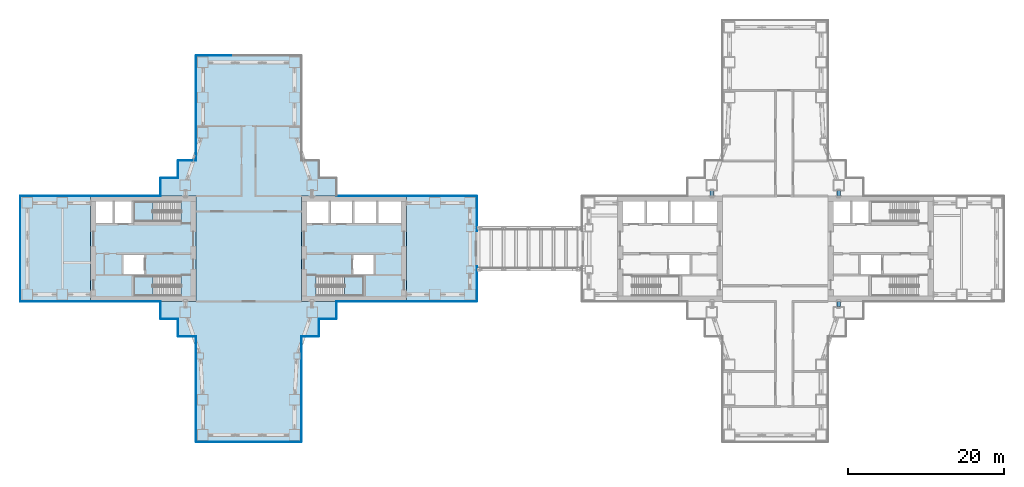
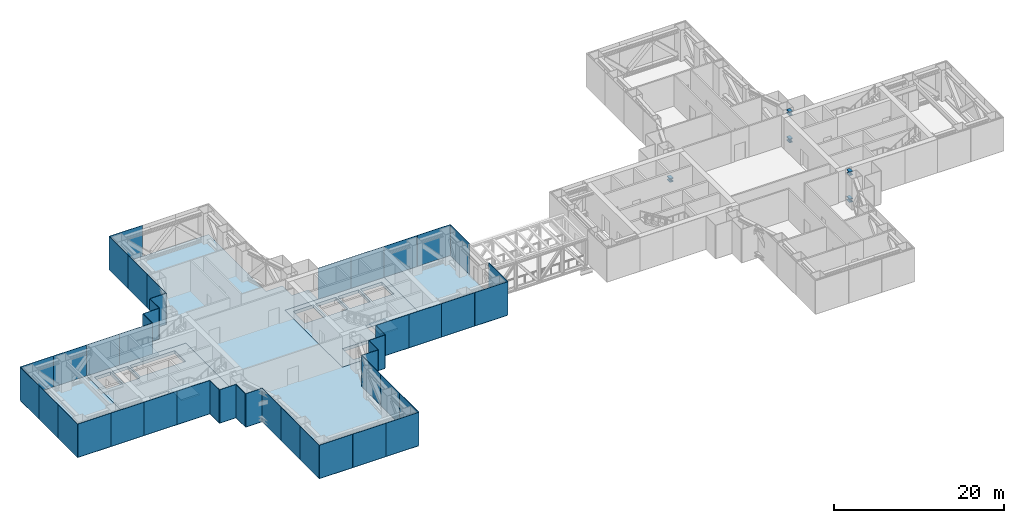
# One storey, part 8 of 23: 46 plates, 8 slabs, 5 members, 21 elements without a shape of their own.
"""IFC4 building model written with IfcOpenShell, lengths in metres."""

import ifcopenshell
import ifcopenshell.guid

model = None  # the IFC model being written
_history = None  # IfcOwnerHistory: only IFC2X3 demands one
_inside = {}  # id of a spatial element -> (the spatial element, [elements in it])
_under = {}  # id of a project, library or spatial element -> (it, [spatial elements below it])
_declared = {}  # id of a project -> (the project, [libraries it declares])
_typed = {}  # id of a type object -> (the type object, [elements of that type])
_made_of = {}  # id of a material, layer set ... -> (it, [elements and type objects made of it])


def new_model(schema):
    """Start an empty IFC model of exactly this schema.

    Asked for "IFC4X3", IfcOpenShell would pick the latest addendum, in which some entities
    have other attributes; the version numbers below select the first issue.
    IFC2X3 requires an IfcOwnerHistory on every rooted entity: one is made here for all.
    """
    global model, _history
    if schema == "IFC4X3":
        model = ifcopenshell.file(schema_version=(4, 3, 0, 0))
    else:
        model = ifcopenshell.file(schema=schema)
    _inside.clear()
    _under.clear()
    _declared.clear()
    _typed.clear()
    _made_of.clear()
    _history = None
    if model.schema == "IFC2X3":
        org = make("IfcOrganization", Name="unknown")
        user = make(
            "IfcPersonAndOrganization",
            ThePerson=make("IfcPerson", FamilyName="unknown"),
            TheOrganization=org,
        )
        app = make(
            "IfcApplication",
            ApplicationDeveloper=org,
            Version="unknown",
            ApplicationFullName="unknown",
            ApplicationIdentifier="unknown",
        )
        _history = make(
            "IfcOwnerHistory",
            OwningUser=user,
            OwningApplication=app,
            ChangeAction="ADDED",
            CreationDate=0,
        )
    return model


def make(cls, **values):
    """One entity of the class cls with the attributes given. An attribute that is None is left unset."""
    return model.create_entity(
        cls, **{name: value for name, value in values.items() if value is not None}
    )


def rooted(cls, **values):
    """An entity with a GlobalId (a new one), such as an element, a storey or a relation."""
    return make(cls, GlobalId=ifcopenshell.guid.new(), OwnerHistory=_history, **values)


def si_unit(unit_type, name, prefix=None):
    """IfcSIUnit, for example si_unit("LENGTHUNIT", "METRE", prefix="MILLI")."""
    return make("IfcSIUnit", UnitType=unit_type, Prefix=prefix, Name=name)


def assignment(units):
    """IfcUnitAssignment: the units of a project."""
    return None if units is None else make("IfcUnitAssignment", Units=units)


def point(xyz):
    """IfcCartesianPoint."""
    return None if xyz is None else make("IfcCartesianPoint", Coordinates=xyz)


def direction(xyz):
    """IfcDirection."""
    return None if xyz is None else make("IfcDirection", DirectionRatios=xyz)


def frame(location, z_axis=None, x_axis=None):
    """IfcAxis2Placement3D, a coordinate frame: its origin and axes. An axis left out is left unset."""
    return make(
        "IfcAxis2Placement3D",
        Location=point(location),
        Axis=direction(z_axis),
        RefDirection=direction(x_axis),
    )


def frame_2d(location, x_axis=None):
    """IfcAxis2Placement2D, a coordinate frame in the plane: its origin and x axis."""
    return make(
        "IfcAxis2Placement2D", Location=point(location), RefDirection=direction(x_axis)
    )


def origin():
    """The frame at (0, 0, 0) with its axes left unset."""
    return frame((0.0, 0.0, 0.0))


def origin_2d():
    """The frame at (0, 0) in the plane with its x axis left unset."""
    return frame_2d((0.0, 0.0))


def place(relative_to, where):
    """IfcLocalPlacement: puts the frame where relative to a parent placement (None: the world)."""
    return make(
        "IfcLocalPlacement", PlacementRelTo=relative_to, RelativePlacement=where
    )


def context(
    kind, dimensions, precision=None, world=None, true_north=None, identifier=None
):
    """IfcGeometricRepresentationContext, for example the 3D "Model" context."""
    return make(
        "IfcGeometricRepresentationContext",
        ContextIdentifier=identifier,
        ContextType=kind,
        CoordinateSpaceDimension=dimensions,
        Precision=precision,
        WorldCoordinateSystem=world,
        TrueNorth=true_north,
    )


def subcontext(parent, identifier, kind, view, scale=None):
    """IfcGeometricRepresentationSubContext, for example "Body" below "Model"."""
    return make(
        "IfcGeometricRepresentationSubContext",
        ContextIdentifier=identifier,
        ContextType=kind,
        ParentContext=parent,
        TargetScale=scale,
        TargetView=view,
    )


def project(units=None, contexts=None):
    """IfcProject with its units and contexts."""
    return rooted(
        "IfcProject",
        Name="project",
        RepresentationContexts=contexts,
        UnitsInContext=assignment(units),
    )


def spatial(cls, under=None, at=None, **own):
    """A site, building, storey or space (cls), placed at a placement, below another one or the project."""
    s = rooted(cls, ObjectPlacement=at, **own)
    if under is not None:
        _under.setdefault(under.id(), (under, []))[1].append(s)
    return s


def polyline(points):
    """IfcPolyline through the points."""
    return make("IfcPolyline", Points=[point(p) for p in points])


def profile(cls, at=None, kind="AREA", **sizes):
    """A parametric profile (cls). Its sizes go by their IFC names, for example OverallWidth=200.0."""
    return make(cls, ProfileType=kind, Position=at, **sizes)


def rectangle(**sizes):
    """IfcRectangleProfileDef."""
    return profile("IfcRectangleProfileDef", **sizes)


def i_section(**sizes):
    """IfcIShapeProfileDef."""
    return profile("IfcIShapeProfileDef", **sizes)


def outline(outer, holes=None, kind="AREA"):
    """IfcArbitraryClosedProfileDef: a profile drawn as a closed curve; with holes, ...WithVoids."""
    if holes is None:
        return make("IfcArbitraryClosedProfileDef", ProfileType=kind, OuterCurve=outer)
    return make(
        "IfcArbitraryProfileDefWithVoids",
        ProfileType=kind,
        OuterCurve=outer,
        InnerCurves=holes,
    )


def extrude(swept, where, along, depth):
    """IfcExtrudedAreaSolid: the profile swept, set in the frame where, extruded along a direction by depth."""
    return make(
        "IfcExtrudedAreaSolid",
        SweptArea=swept,
        Position=where,
        ExtrudedDirection=direction(along),
        Depth=depth,
    )


def shape(context_of_items, identifier, shape_type, items):
    """IfcShapeRepresentation: the items that make up one representation, for example the "Body"."""
    return make(
        "IfcShapeRepresentation",
        ContextOfItems=context_of_items,
        RepresentationIdentifier=identifier,
        RepresentationType=shape_type,
        Items=items,
    )


def material(Name=None, Category=None):
    """IfcMaterial."""
    return make("IfcMaterial", Name=Name, Category=Category)


def layer(
    of_material, thickness, ventilated=None, Name=None, Category=None, Priority=None
):
    """IfcMaterialLayer: one layer of a wall or slab, of a material (None: an air gap)."""
    return make(
        "IfcMaterialLayer",
        Material=of_material,
        LayerThickness=thickness,
        IsVentilated=ventilated,
        Name=Name,
        Category=Category,
        Priority=Priority,
    )


def layer_set(layers, Name=None):
    """IfcMaterialLayerSet."""
    return make("IfcMaterialLayerSet", MaterialLayers=layers, LayerSetName=Name)


def material_profile(
    of_material, cross_section, Name=None, Category=None, Priority=None
):
    """IfcMaterialProfile: a cross section and its material."""
    return make(
        "IfcMaterialProfile",
        Name=Name,
        Material=of_material,
        Profile=cross_section,
        Priority=Priority,
        Category=Category,
    )


def profile_set(profiles, Name=None, composite=None):
    """IfcMaterialProfileSet."""
    return make(
        "IfcMaterialProfileSet",
        Name=Name,
        MaterialProfiles=profiles,
        CompositeProfile=composite,
    )


def made_of(thing, what):
    """Note that an element or type object is made of a material, layer set ...; save() writes the relation."""
    if what is not None:
        _made_of.setdefault(what.id(), (what, []))[1].append(thing)
    return thing


def type_object(cls, material=None, **own):
    """A type object (cls), such as IfcWallType, which elements share."""
    return made_of(rooted(cls, **own), material)


def element(
    cls,
    number,
    at=None,
    inside=None,
    cuts=None,
    type_object=None,
    material=None,
    context=None,
    identifier="Body",
    shape_type=None,
    held_by="IfcProductDefinitionShape",
    body=None,
    shapes=None,
    **own,
):
    """One element of the class cls, such as IfcWall. Its Tag is "e" and its number.

    at: its placement. inside: the storey or other place that contains it. cuts: it is an
    opening in that element (IfcRelVoidsElement). A single representation is given by context,
    identifier, shape_type and body (its items); several are given by shapes. held_by: the class
    of the entity that holds the representations. save() writes the other relations.
    """
    e = rooted(cls, Tag="e%d" % number, ObjectPlacement=at, **own)
    if body is not None:
        shapes = [shape(context, identifier, shape_type, body)]
    if shapes is not None:
        e.Representation = make(held_by, Representations=shapes)
    if inside is not None:
        _inside.setdefault(inside.id(), (inside, []))[1].append(e)
    if cuts is not None:
        rooted(
            "IfcRelVoidsElement", RelatingBuildingElement=cuts, RelatedOpeningElement=e
        )
    if type_object is not None:
        _typed.setdefault(type_object.id(), (type_object, []))[1].append(e)
    return made_of(e, material)


def aggregate(whole, parts):
    """IfcRelAggregates: a whole, such as a stair, and the parts it consists of."""
    return rooted("IfcRelAggregates", RelatingObject=whole, RelatedObjects=parts)


def save(model, path):
    """Write the relations noted so far, then the file.

    IfcRelAggregates (storeys below a building ...), IfcRelContainedInSpatialStructure (elements
    in a storey), IfcRelDefinesByType, IfcRelAssociatesMaterial and IfcRelDeclares: one each for
    every whole, place, type object, material and project.
    """
    for whole, parts in _under.values():
        aggregate(whole, parts)
    for where, things in _inside.values():
        rooted(
            "IfcRelContainedInSpatialStructure",
            RelatedElements=things,
            RelatingStructure=where,
        )
    for kind, things in _typed.values():
        rooted("IfcRelDefinesByType", RelatedObjects=things, RelatingType=kind)
    for what, things in _made_of.values():
        rooted("IfcRelAssociatesMaterial", RelatedObjects=things, RelatingMaterial=what)
    for by, libraries in _declared.values():
        rooted("IfcRelDeclares", RelatingContext=by, RelatedDefinitions=libraries)
    model.write(path)


model = new_model("IFC4")

# Units and contexts
model_context = context("Model", 3, precision=1e-05, world=origin(), true_north=direction((0.0, 1.0)))
body_context = subcontext(model_context, "Body", "Model", "MODEL_VIEW")
ifc_project = project(units=[si_unit("LENGTHUNIT", "METRE"), si_unit("AREAUNIT", "SQUARE_METRE"), si_unit("VOLUMEUNIT", "CUBIC_METRE"), si_unit("PLANEANGLEUNIT", "RADIAN"), si_unit("MASSUNIT", "GRAM", prefix="KILO")], contexts=[model_context])

# Site, building, storey
site_placement = place(None, origin())
site = spatial("IfcSite", under=ifc_project, at=site_placement, CompositionType="ELEMENT")
building_placement = place(site_placement, origin())
building = spatial("IfcBuilding", under=site, at=building_placement, Name="Shamsa Quay Exchange Towers", CompositionType="ELEMENT")
storey_placement = place(building_placement, frame((0.0, 0.0, 77.10009765625)))
storey = spatial("IfcBuildingStorey", under=building, at=storey_placement, Name="L17", CompositionType="ELEMENT", Elevation=77.10009765625)

# Members
ifc_material_1 = material(Name="Steel S355", Category="steel")
ifc_material_profile = material_profile(ifc_material_1, i_section(OverallWidth=0.454345703125, OverallDepth=0.569580078125, WebThickness=0.077880859375, FlangeThickness=0.124755859375, at=origin_2d()), Name="W14x730")
ifc_profile_set = profile_set([ifc_material_profile], Name="Steel S355")
member_type = type_object("IfcMemberType", Name="Outrigger chord W14x730", PredefinedType="CHORD", material=ifc_profile_set)
for number, where, z_axis, x_axis, name in (
    (1, (41.875, -7.425048828125, 4.1650390625), (0.0, 1.0, 0.0), (-1.0, 0.0, 0.0), "Outrigger truss chord T2 L17 10"),
    (2, (41.875, -7.425048828125, 0.28466796875), (0.0, 1.0, 0.0), (-1.0, 0.0, 0.0), "Outrigger truss chord T2 L17 10"),
    (3, (41.875, 7.425048828125, 4.1650390625), (0.0, -1.0, 0.0), (1.0, 0.0, 0.0), "Outrigger truss chord T2 L17 16"),
    (4, (41.875, 7.425048828125, 0.28466796875), (0.0, -1.0, 0.0), (1.0, 0.0, 0.0), "Outrigger truss chord T2 L17 16"),
    (5, (25.625, 7.425048828125, 0.28466796875), (0.0, -1.0, 0.0), (1.0, 0.0, 0.0), "Outrigger truss chord T2 L17 26"),
):
    element("IfcMember", number, at=place(storey_placement, frame(where, z_axis=z_axis, x_axis=x_axis)), inside=storey, type_object=member_type, Name=name, PredefinedType="CHORD", context=body_context, shape_type="SweptSolid", body=[
        extrude(i_section(OverallWidth=0.454345703125, OverallDepth=0.569580078125, WebThickness=0.077880859375, FlangeThickness=0.124755859375, at=origin_2d()), origin(), (0.0, 0.0, 1.0), 0.675048828125),
    ])

# Slabs
ifc_material_2 = material(Name="Concrete C50/60", Category="concrete")
ifc_layer_1 = layer(ifc_material_2, 0.449951171875)
ifc_layer_set_1 = layer_set([ifc_layer_1], Name="CORE FLOOR 450 C50/60")
slab_type_1 = type_object("IfcSlabType", Name="CORE FLOOR 450 C50/60", PredefinedType="FLOOR", material=ifc_layer_set_1)
slab_1_placement = place(storey_placement, frame((0.0, 0.0, -0.4501953125)))
element("IfcSlab", 6, at=slab_1_placement, inside=storey, type_object=slab_type_1, Name="Core floor T1A", PredefinedType="FLOOR", context=body_context, shape_type="SweptSolid", body=[
    extrude(outline(polyline([(-27.0, -6.75), (-13.5, -6.75), (-13.5, 6.75), (-27.0, 6.75), (-27.0, -6.75)]), holes=[polyline([(-25.099365234375, -6.050048828125), (-25.099365234375, -3.5), (-19.0, -3.5), (-19.0, -6.050048828125), (-25.099365234375, -6.050048828125)]), polyline([(-26.300048828125, 3.25), (-26.300048828125, 6.050048828125), (-23.5, 6.050048828125), (-23.5, 3.25), (-26.300048828125, 3.25)]), polyline([(-23.25, 3.25), (-23.25, 6.050048828125), (-20.449951171875, 6.050048828125), (-20.449951171875, 3.25), (-23.25, 3.25)]), polyline([(-20.199951171875, 3.25), (-20.199951171875, 6.050048828125), (-17.39990234375, 6.050048828125), (-17.39990234375, 3.25), (-20.199951171875, 3.25)]), polyline([(-17.14990234375, 3.25), (-17.14990234375, 6.050048828125), (-14.199951171875, 6.050048828125), (-14.199951171875, 3.25), (-17.14990234375, 3.25)]), polyline([(-20.35009765625, -3.25), (-20.35009765625, -0.75), (-17.699951171875, -0.75), (-17.699951171875, -3.25), (-20.35009765625, -3.25)])]), origin(), (0.0, 0.0, 1.0), 0.4501953125),
])
slab_2_placement = place(storey_placement, frame((0.0, 0.0, -0.4501953125)))
element("IfcSlab", 7, at=slab_2_placement, inside=storey, type_object=slab_type_1, Name="Core floor T1B", PredefinedType="FLOOR", context=body_context, shape_type="SweptSolid", body=[
    extrude(outline(polyline([(-40.5, -6.75), (-40.5, 6.75), (-54.0, 6.75), (-54.0, -6.75), (-40.5, -6.75)]), holes=[polyline([(-42.400634765625, -3.5), (-42.400634765625, -6.050048828125), (-48.5, -6.050048828125), (-48.5, -3.5), (-42.400634765625, -3.5)]), polyline([(-42.400634765625, 6.050048828125), (-42.400634765625, 3.5), (-48.5, 3.5), (-48.5, 6.050048828125), (-42.400634765625, 6.050048828125)]), polyline([(-48.75, 3.25), (-50.89990234375, 3.25), (-50.89990234375, 6.050048828125), (-48.75, 6.050048828125), (-48.75, 3.25)]), polyline([(-51.14990234375, 3.25), (-53.300048828125, 3.25), (-53.300048828125, 6.050048828125), (-51.14990234375, 6.050048828125), (-51.14990234375, 3.25)]), polyline([(-47.14990234375, -3.25), (-49.800048828125, -3.25), (-49.800048828125, -0.75), (-47.14990234375, -0.75), (-47.14990234375, -3.25)])]), origin(), (0.0, 0.0, 1.0), 0.4501953125),
])

# Stair, slab
ifc_material_3 = material(Name="Concrete C40/50", Category="concrete")
stair_type = type_object("IfcStairType", Name="EXIT STAIR 28 RISERS 171 MM", PredefinedType="HALF_TURN_STAIR", material=ifc_material_3)
stair_1_placement = place(storey_placement, origin())
stair_1 = element("IfcStair", 8, at=stair_1_placement, inside=storey, type_object=stair_type, Name="L17 Exit stair ST1", PredefinedType="HALF_TURN_STAIR")
ifc_layer_2 = layer(ifc_material_3, 0.199951171875)
ifc_layer_set_2 = layer_set([ifc_layer_2], Name="CORE STAIR LANDING")
slab_type_2 = type_object("IfcSlabType", Name="CORE STAIR LANDING", PredefinedType="LANDING", material=ifc_layer_set_2)
slab_3_placement = place(storey_placement, frame((0.0, 0.0, 2.199951171875)))
slab_3 = element("IfcSlab", 9, at=slab_3_placement, type_object=slab_type_2, Name="ST1 landing 1", PredefinedType="LANDING", context=body_context, shape_type="SweptSolid", body=[
    extrude(outline(polyline([(-21.4599609375, -6.050048828125), (-19.0, -6.050048828125), (-19.0, -3.5), (-21.4599609375, -3.5), (-21.4599609375, -6.050048828125)])), origin(), (0.0, 0.0, 1.0), 0.199951171875),
])
aggregate(stair_1, [slab_3])

stair_2_placement = place(storey_placement, origin())
stair_2 = element("IfcStair", 10, at=stair_2_placement, inside=storey, type_object=stair_type, Name="L17 Exit stair ST2", PredefinedType="HALF_TURN_STAIR")
slab_4_placement = place(storey_placement, frame((0.0, 0.0, 2.199951171875)))
slab_4 = element("IfcSlab", 11, at=slab_4_placement, type_object=slab_type_2, Name="ST2 landing 1", PredefinedType="LANDING", context=body_context, shape_type="SweptSolid", body=[
    extrude(outline(polyline([(-46.0400390625, -3.5), (-48.5, -3.5), (-48.5, -6.050048828125), (-46.0400390625, -6.050048828125), (-46.0400390625, -3.5)])), origin(), (0.0, 0.0, 1.0), 0.199951171875),
])
aggregate(stair_2, [slab_4])

stair_3_placement = place(storey_placement, origin())
stair_3 = element("IfcStair", 12, at=stair_3_placement, inside=storey, type_object=stair_type, Name="L17 Exit stair ST3", PredefinedType="HALF_TURN_STAIR")
slab_5_placement = place(storey_placement, frame((0.0, 0.0, 2.199951171875)))
slab_5 = element("IfcSlab", 13, at=slab_5_placement, type_object=slab_type_2, Name="ST3 landing 1", PredefinedType="LANDING", context=body_context, shape_type="SweptSolid", body=[
    extrude(outline(polyline([(-46.0400390625, 6.050048828125), (-48.5, 6.050048828125), (-48.5, 3.5), (-46.0400390625, 3.5), (-46.0400390625, 6.050048828125)])), origin(), (0.0, 0.0, 1.0), 0.199951171875),
])
aggregate(stair_3, [slab_5])

# Curtain wall, plates
ifc_material_4 = material(Name="Aluminium EN AW-6063 T6, black anodised", Category="aluminium")
ifc_layer_3 = layer(ifc_material_4, 0.320068359375)
ifc_layer_set_3 = layer_set([ifc_layer_3], Name="CW-7 BELT-LEVEL LOUVRE PANEL WALL")
curtain_wall_type = type_object("IfcCurtainWallType", Name="CW-7 BELT-LEVEL LOUVRE PANEL WALL", PredefinedType="NOTDEFINED", material=ifc_layer_set_3)
curtain_wall_1_placement = place(storey_placement, origin())
curtain_wall_1 = element("IfcCurtainWall", 14, at=curtain_wall_1_placement, inside=storey, type_object=curtain_wall_type, Name="CW7 T1-FLK-V-W L17", PredefinedType="NOTDEFINED")
ifc_material_5 = material(Name="Aluminium louvre panel, black anodised, with insulated fire-rated backing", Category="aluminium")
ifc_layer_4 = layer(ifc_material_5, 0.06005859375)
ifc_layer_set_4 = layer_set([ifc_layer_4], Name="CW-7 LOUVRE PANEL 60")
plate_type = type_object("IfcPlateType", Name="CW-7 LOUVRE PANEL 60", PredefinedType="CURTAIN_PANEL", material=ifc_layer_set_4)
plate_1_placement = place(storey_placement, frame((-40.530029296875, -13.549072265625, -0.35009765625), z_axis=(0.0, 0.0, 1.0), x_axis=(0.0, -1.0, 0.0)))
plate_1 = element("IfcPlate", 15, at=plate_1_placement, type_object=plate_type, Name="CW7 glass panel", PredefinedType="CURTAIN_PANEL", context=body_context, shape_type="SweptSolid", body=[
    extrude(rectangle(XDim=4.474365234375, YDim=0.06005859375, at=origin_2d()), origin(), (0.0, 0.0, 1.0), 4.800048828125),
])
plate_2_placement = place(storey_placement, frame((-40.530029296875, -18.031005859375, -0.35009765625), z_axis=(0.0, 0.0, 1.0), x_axis=(0.0, -1.0, 0.0)))
plate_2 = element("IfcPlate", 16, at=plate_2_placement, type_object=plate_type, Name="CW7 glass panel", PredefinedType="CURTAIN_PANEL", context=body_context, shape_type="SweptSolid", body=[
    extrude(rectangle(XDim=4.46923828125, YDim=0.06005859375, at=origin_2d()), origin(), (0.0, 0.0, 1.0), 4.800048828125),
])
plate_3_placement = place(storey_placement, frame((-40.530029296875, -22.512939453125, -0.35009765625), z_axis=(0.0, 0.0, 1.0), x_axis=(0.0, -1.0, 0.0)))
plate_3 = element("IfcPlate", 17, at=plate_3_placement, type_object=plate_type, Name="CW7 glass panel", PredefinedType="CURTAIN_PANEL", context=body_context, shape_type="SweptSolid", body=[
    extrude(rectangle(XDim=4.474365234375, YDim=0.06005859375, at=origin_2d()), origin(), (0.0, 0.0, 1.0), 4.800048828125),
])
aggregate(curtain_wall_1, [plate_1, plate_2, plate_3])

curtain_wall_2_placement = place(storey_placement, origin())
curtain_wall_2 = element("IfcCurtainWall", 18, at=curtain_wall_2_placement, inside=storey, type_object=curtain_wall_type, Name="CW7 T1-END-V- L17", PredefinedType="NOTDEFINED")
plate_4_placement = place(storey_placement, frame((-38.25244140625, -24.780029296875, -0.35009765625)))
plate_4 = element("IfcPlate", 19, at=plate_4_placement, type_object=plate_type, Name="CW7 glass panel", PredefinedType="CURTAIN_PANEL", context=body_context, shape_type="SweptSolid", body=[
    extrude(rectangle(XDim=4.4951171875, YDim=0.06005859375, at=origin_2d()), origin(), (0.0, 0.0, 1.0), 4.800048828125),
])
plate_5_placement = place(storey_placement, frame((-33.75, -24.780029296875, -0.35009765625)))
plate_5 = element("IfcPlate", 20, at=plate_5_placement, type_object=plate_type, Name="CW7 glass panel", PredefinedType="CURTAIN_PANEL", context=body_context, shape_type="SweptSolid", body=[
    extrude(rectangle(XDim=4.489990234375, YDim=0.06005859375, at=origin_2d()), origin(), (0.0, 0.0, 1.0), 4.800048828125),
])
plate_6_placement = place(storey_placement, frame((-29.24755859375, -24.780029296875, -0.35009765625)))
plate_6 = element("IfcPlate", 21, at=plate_6_placement, type_object=plate_type, Name="CW7 glass panel", PredefinedType="CURTAIN_PANEL", context=body_context, shape_type="SweptSolid", body=[
    extrude(rectangle(XDim=4.4951171875, YDim=0.06005859375, at=origin_2d()), origin(), (0.0, 0.0, 1.0), 4.800048828125),
])
aggregate(curtain_wall_2, [plate_4, plate_5, plate_6])

curtain_wall_3_placement = place(storey_placement, origin())
curtain_wall_3 = element("IfcCurtainWall", 22, at=curtain_wall_3_placement, inside=storey, type_object=curtain_wall_type, Name="CW7 T1-FLK-V-E L17", PredefinedType="NOTDEFINED")
plate_7_placement = place(storey_placement, frame((-26.969970703125, -22.50244140625, -0.35009765625), z_axis=(0.0, 0.0, 1.0), x_axis=(0.0, 1.0, 0.0)))
plate_7 = element("IfcPlate", 23, at=plate_7_placement, type_object=plate_type, Name="CW7 glass panel", PredefinedType="CURTAIN_PANEL", context=body_context, shape_type="SweptSolid", body=[
    extrude(rectangle(XDim=4.4951171875, YDim=0.06005859375, at=origin_2d()), origin(), (0.0, 0.0, 1.0), 4.800048828125),
])
plate_8_placement = place(storey_placement, frame((-26.969970703125, -18.0, -0.35009765625), z_axis=(0.0, 0.0, 1.0), x_axis=(0.0, 1.0, 0.0)))
plate_8 = element("IfcPlate", 24, at=plate_8_placement, type_object=plate_type, Name="CW7 glass panel", PredefinedType="CURTAIN_PANEL", context=body_context, shape_type="SweptSolid", body=[
    extrude(rectangle(XDim=4.489990234375, YDim=0.06005859375, at=origin_2d()), origin(), (0.0, 0.0, 1.0), 4.800048828125),
])
plate_9_placement = place(storey_placement, frame((-26.969970703125, -13.49755859375, -0.35009765625), z_axis=(0.0, 0.0, 1.0), x_axis=(0.0, 1.0, 0.0)))
plate_9 = element("IfcPlate", 25, at=plate_9_placement, type_object=plate_type, Name="CW7 glass panel", PredefinedType="CURTAIN_PANEL", context=body_context, shape_type="SweptSolid", body=[
    extrude(rectangle(XDim=4.4951171875, YDim=0.06005859375, at=origin_2d()), origin(), (0.0, 0.0, 1.0), 4.800048828125),
])
aggregate(curtain_wall_3, [plate_7, plate_8, plate_9])

curtain_wall_4_placement = place(storey_placement, origin())
curtain_wall_4 = element("IfcCurtainWall", 26, at=curtain_wall_4_placement, inside=storey, type_object=curtain_wall_type, Name="CW7 T1-FLK-U+S L17", PredefinedType="NOTDEFINED")
plate_10_placement = place(storey_placement, frame((-20.2060546875, -6.780029296875, -0.35009765625)))
plate_10 = element("IfcPlate", 27, at=plate_10_placement, type_object=plate_type, Name="CW7 glass panel", PredefinedType="CURTAIN_PANEL", context=body_context, shape_type="SweptSolid", body=[
    extrude(rectangle(XDim=4.464111328125, YDim=0.06005859375, at=origin_2d()), origin(), (0.0, 0.0, 1.0), 4.800048828125),
])
plate_11_placement = place(storey_placement, frame((-15.73193359375, -6.780029296875, -0.35009765625)))
plate_11 = element("IfcPlate", 28, at=plate_11_placement, type_object=plate_type, Name="CW7 glass panel", PredefinedType="CURTAIN_PANEL", context=body_context, shape_type="SweptSolid", body=[
    extrude(rectangle(XDim=4.464111328125, YDim=0.06005859375, at=origin_2d()), origin(), (0.0, 0.0, 1.0), 4.800048828125),
])
aggregate(curtain_wall_4, [plate_10, plate_11])

curtain_wall_5_placement = place(storey_placement, origin())
curtain_wall_5 = element("IfcCurtainWall", 29, at=curtain_wall_5_placement, inside=storey, type_object=curtain_wall_type, Name="CW7 T1-FLK-U+S L17", PredefinedType="NOTDEFINED")
plate_12_placement = place(storey_placement, frame((-11.25244140625, -6.780029296875, -0.35009765625)))
plate_12 = element("IfcPlate", 30, at=plate_12_placement, type_object=plate_type, Name="CW7 glass panel", PredefinedType="CURTAIN_PANEL", context=body_context, shape_type="SweptSolid", body=[
    extrude(rectangle(XDim=4.4951171875, YDim=0.06005859375, at=origin_2d()), origin(), (0.0, 0.0, 1.0), 4.800048828125),
])
plate_13_placement = place(storey_placement, frame((-6.74755859375, -6.780029296875, -0.35009765625)))
plate_13 = element("IfcPlate", 31, at=plate_13_placement, type_object=plate_type, Name="CW7 glass panel", PredefinedType="CURTAIN_PANEL", context=body_context, shape_type="SweptSolid", body=[
    extrude(rectangle(XDim=4.4951171875, YDim=0.06005859375, at=origin_2d()), origin(), (0.0, 0.0, 1.0), 4.800048828125),
])
aggregate(curtain_wall_5, [plate_12, plate_13])

curtain_wall_6_placement = place(storey_placement, origin())
curtain_wall_6 = element("IfcCurtainWall", 32, at=curtain_wall_6_placement, inside=storey, type_object=curtain_wall_type, Name="CW7 T1-END-U+ L17", PredefinedType="NOTDEFINED")
plate_14_placement = place(storey_placement, frame((-4.469970703125, -4.50244140625, -0.35009765625), z_axis=(0.0, 0.0, 1.0), x_axis=(0.0, 1.0, 0.0)))
plate_14 = element("IfcPlate", 33, at=plate_14_placement, type_object=plate_type, Name="CW7 glass panel", PredefinedType="CURTAIN_PANEL", context=body_context, shape_type="SweptSolid", body=[
    extrude(rectangle(XDim=4.4951171875, YDim=0.06005859375, at=origin_2d()), origin(), (0.0, 0.0, 1.0), 4.800048828125),
])
plate_15_placement = place(storey_placement, frame((-4.469970703125, 4.50244140625, -0.35009765625), z_axis=(0.0, 0.0, 1.0), x_axis=(0.0, 1.0, 0.0)))
plate_15 = element("IfcPlate", 34, at=plate_15_placement, type_object=plate_type, Name="CW7 glass panel", PredefinedType="CURTAIN_PANEL", context=body_context, shape_type="SweptSolid", body=[
    extrude(rectangle(XDim=4.4951171875, YDim=0.06005859375, at=origin_2d()), origin(), (0.0, 0.0, 1.0), 4.800048828125),
])
aggregate(curtain_wall_6, [plate_14, plate_15])

curtain_wall_7_placement = place(storey_placement, origin())
curtain_wall_7 = element("IfcCurtainWall", 35, at=curtain_wall_7_placement, inside=storey, type_object=curtain_wall_type, Name="CW7 T1-FLK-U+N L17", PredefinedType="NOTDEFINED")
plate_16_placement = place(storey_placement, frame((-6.74755859375, 6.780029296875, -0.35009765625), z_axis=(0.0, 0.0, 1.0), x_axis=(-1.0, 0.0, 0.0)))
plate_16 = element("IfcPlate", 36, at=plate_16_placement, type_object=plate_type, Name="CW7 glass panel", PredefinedType="CURTAIN_PANEL", context=body_context, shape_type="SweptSolid", body=[
    extrude(rectangle(XDim=4.4951171875, YDim=0.06005859375, at=origin_2d()), origin(), (0.0, 0.0, 1.0), 4.800048828125),
])
plate_17_placement = place(storey_placement, frame((-11.25244140625, 6.780029296875, -0.35009765625), z_axis=(0.0, 0.0, 1.0), x_axis=(-1.0, 0.0, 0.0)))
plate_17 = element("IfcPlate", 37, at=plate_17_placement, type_object=plate_type, Name="CW7 glass panel", PredefinedType="CURTAIN_PANEL", context=body_context, shape_type="SweptSolid", body=[
    extrude(rectangle(XDim=4.4951171875, YDim=0.06005859375, at=origin_2d()), origin(), (0.0, 0.0, 1.0), 4.800048828125),
])
aggregate(curtain_wall_7, [plate_16, plate_17])

curtain_wall_8_placement = place(storey_placement, origin())
curtain_wall_8 = element("IfcCurtainWall", 38, at=curtain_wall_8_placement, inside=storey, type_object=curtain_wall_type, Name="CW7 T1-FLK-U+N L17", PredefinedType="NOTDEFINED")
plate_18_placement = place(storey_placement, frame((-15.74755859375, 6.780029296875, -0.35009765625), z_axis=(0.0, 0.0, 1.0), x_axis=(-1.0, 0.0, 0.0)))
plate_18 = element("IfcPlate", 39, at=plate_18_placement, type_object=plate_type, Name="CW7 glass panel", PredefinedType="CURTAIN_PANEL", context=body_context, shape_type="SweptSolid", body=[
    extrude(rectangle(XDim=4.4951171875, YDim=0.06005859375, at=origin_2d()), origin(), (0.0, 0.0, 1.0), 4.800048828125),
])
plate_19_placement = place(storey_placement, frame((-20.25244140625, 6.780029296875, -0.35009765625), z_axis=(0.0, 0.0, 1.0), x_axis=(-1.0, 0.0, 0.0)))
plate_19 = element("IfcPlate", 40, at=plate_19_placement, type_object=plate_type, Name="CW7 glass panel", PredefinedType="CURTAIN_PANEL", context=body_context, shape_type="SweptSolid", body=[
    extrude(rectangle(XDim=4.4951171875, YDim=0.06005859375, at=origin_2d()), origin(), (0.0, 0.0, 1.0), 4.800048828125),
])
aggregate(curtain_wall_8, [plate_18, plate_19])

# Curtain wall, plate
curtain_wall_9_placement = place(storey_placement, origin())
curtain_wall_9 = element("IfcCurtainWall", 41, at=curtain_wall_9_placement, inside=storey, type_object=curtain_wall_type, Name="CW7 T1-END-V+ L17", PredefinedType="NOTDEFINED")
plate_20_placement = place(storey_placement, frame((-38.25244140625, 24.780029296875, -0.35009765625), z_axis=(0.0, 0.0, 1.0), x_axis=(-1.0, 0.0, 0.0)))
plate_20 = element("IfcPlate", 42, at=plate_20_placement, type_object=plate_type, Name="CW7 glass panel", PredefinedType="CURTAIN_PANEL", context=body_context, shape_type="SweptSolid", body=[
    extrude(rectangle(XDim=4.4951171875, YDim=0.06005859375, at=origin_2d()), origin(), (0.0, 0.0, 1.0), 4.800048828125),
])
aggregate(curtain_wall_9, [plate_20])

# Curtain wall, plates
curtain_wall_10_placement = place(storey_placement, origin())
curtain_wall_10 = element("IfcCurtainWall", 43, at=curtain_wall_10_placement, inside=storey, type_object=curtain_wall_type, Name="CW7 T1-FLK-V+W L17", PredefinedType="NOTDEFINED")
plate_21_placement = place(storey_placement, frame((-40.530029296875, 22.50244140625, -0.35009765625), z_axis=(0.0, 0.0, 1.0), x_axis=(0.0, -1.0, 0.0)))
plate_21 = element("IfcPlate", 44, at=plate_21_placement, type_object=plate_type, Name="CW7 glass panel", PredefinedType="CURTAIN_PANEL", context=body_context, shape_type="SweptSolid", body=[
    extrude(rectangle(XDim=4.4951171875, YDim=0.06005859375, at=origin_2d()), origin(), (0.0, 0.0, 1.0), 4.800048828125),
])
plate_22_placement = place(storey_placement, frame((-40.530029296875, 18.0, -0.35009765625), z_axis=(0.0, 0.0, 1.0), x_axis=(0.0, -1.0, 0.0)))
plate_22 = element("IfcPlate", 45, at=plate_22_placement, type_object=plate_type, Name="CW7 glass panel", PredefinedType="CURTAIN_PANEL", context=body_context, shape_type="SweptSolid", body=[
    extrude(rectangle(XDim=4.489990234375, YDim=0.06005859375, at=origin_2d()), origin(), (0.0, 0.0, 1.0), 4.800048828125),
])
plate_23_placement = place(storey_placement, frame((-40.530029296875, 13.49755859375, -0.35009765625), z_axis=(0.0, 0.0, 1.0), x_axis=(0.0, -1.0, 0.0)))
plate_23 = element("IfcPlate", 46, at=plate_23_placement, type_object=plate_type, Name="CW7 glass panel", PredefinedType="CURTAIN_PANEL", context=body_context, shape_type="SweptSolid", body=[
    extrude(rectangle(XDim=4.4951171875, YDim=0.06005859375, at=origin_2d()), origin(), (0.0, 0.0, 1.0), 4.800048828125),
])
aggregate(curtain_wall_10, [plate_21, plate_22, plate_23])

curtain_wall_11_placement = place(storey_placement, origin())
curtain_wall_11 = element("IfcCurtainWall", 47, at=curtain_wall_11_placement, inside=storey, type_object=curtain_wall_type, Name="CW7 T1-FLK-U-N L17", PredefinedType="NOTDEFINED")
plate_24_placement = place(storey_placement, frame((-47.2939453125, 6.780029296875, -0.35009765625), z_axis=(0.0, 0.0, 1.0), x_axis=(-1.0, 0.0, 0.0)))
plate_24 = element("IfcPlate", 48, at=plate_24_placement, type_object=plate_type, Name="CW7 glass panel", PredefinedType="CURTAIN_PANEL", context=body_context, shape_type="SweptSolid", body=[
    extrude(rectangle(XDim=4.464111328125, YDim=0.06005859375, at=origin_2d()), origin(), (0.0, 0.0, 1.0), 4.800048828125),
])
plate_25_placement = place(storey_placement, frame((-51.76806640625, 6.780029296875, -0.35009765625), z_axis=(0.0, 0.0, 1.0), x_axis=(-1.0, 0.0, 0.0)))
plate_25 = element("IfcPlate", 49, at=plate_25_placement, type_object=plate_type, Name="CW7 glass panel", PredefinedType="CURTAIN_PANEL", context=body_context, shape_type="SweptSolid", body=[
    extrude(rectangle(XDim=4.464111328125, YDim=0.06005859375, at=origin_2d()), origin(), (0.0, 0.0, 1.0), 4.800048828125),
])
aggregate(curtain_wall_11, [plate_24, plate_25])

curtain_wall_12_placement = place(storey_placement, origin())
curtain_wall_12 = element("IfcCurtainWall", 50, at=curtain_wall_12_placement, inside=storey, type_object=curtain_wall_type, Name="CW7 T1-FLK-U-N L17", PredefinedType="NOTDEFINED")
plate_26_placement = place(storey_placement, frame((-56.24755859375, 6.780029296875, -0.35009765625), z_axis=(0.0, 0.0, 1.0), x_axis=(-1.0, 0.0, 0.0)))
plate_26 = element("IfcPlate", 51, at=plate_26_placement, type_object=plate_type, Name="CW7 glass panel", PredefinedType="CURTAIN_PANEL", context=body_context, shape_type="SweptSolid", body=[
    extrude(rectangle(XDim=4.4951171875, YDim=0.06005859375, at=origin_2d()), origin(), (0.0, 0.0, 1.0), 4.800048828125),
])
plate_27_placement = place(storey_placement, frame((-60.75244140625, 6.780029296875, -0.35009765625), z_axis=(0.0, 0.0, 1.0), x_axis=(-1.0, 0.0, 0.0)))
plate_27 = element("IfcPlate", 52, at=plate_27_placement, type_object=plate_type, Name="CW7 glass panel", PredefinedType="CURTAIN_PANEL", context=body_context, shape_type="SweptSolid", body=[
    extrude(rectangle(XDim=4.4951171875, YDim=0.06005859375, at=origin_2d()), origin(), (0.0, 0.0, 1.0), 4.800048828125),
])
aggregate(curtain_wall_12, [plate_26, plate_27])

curtain_wall_13_placement = place(storey_placement, origin())
curtain_wall_13 = element("IfcCurtainWall", 53, at=curtain_wall_13_placement, inside=storey, type_object=curtain_wall_type, Name="CW7 T1-END-U- L17", PredefinedType="NOTDEFINED")
plate_28_placement = place(storey_placement, frame((-63.030029296875, 4.50244140625, -0.35009765625), z_axis=(0.0, 0.0, 1.0), x_axis=(0.0, -1.0, 0.0)))
plate_28 = element("IfcPlate", 54, at=plate_28_placement, type_object=plate_type, Name="CW7 glass panel", PredefinedType="CURTAIN_PANEL", context=body_context, shape_type="SweptSolid", body=[
    extrude(rectangle(XDim=4.4951171875, YDim=0.06005859375, at=origin_2d()), origin(), (0.0, 0.0, 1.0), 4.800048828125),
])
plate_29_placement = place(storey_placement, frame((-63.030029296875, 0.0, -0.35009765625), z_axis=(0.0, 0.0, 1.0), x_axis=(0.0, -1.0, 0.0)))
plate_29 = element("IfcPlate", 55, at=plate_29_placement, type_object=plate_type, Name="CW7 glass panel", PredefinedType="CURTAIN_PANEL", context=body_context, shape_type="SweptSolid", body=[
    extrude(rectangle(XDim=4.489990234375, YDim=0.06005859375, at=origin_2d()), origin(), (0.0, 0.0, 1.0), 4.800048828125),
])
plate_30_placement = place(storey_placement, frame((-63.030029296875, -4.50244140625, -0.35009765625), z_axis=(0.0, 0.0, 1.0), x_axis=(0.0, -1.0, 0.0)))
plate_30 = element("IfcPlate", 56, at=plate_30_placement, type_object=plate_type, Name="CW7 glass panel", PredefinedType="CURTAIN_PANEL", context=body_context, shape_type="SweptSolid", body=[
    extrude(rectangle(XDim=4.4951171875, YDim=0.06005859375, at=origin_2d()), origin(), (0.0, 0.0, 1.0), 4.800048828125),
])
aggregate(curtain_wall_13, [plate_28, plate_29, plate_30])

curtain_wall_14_placement = place(storey_placement, origin())
curtain_wall_14 = element("IfcCurtainWall", 57, at=curtain_wall_14_placement, inside=storey, type_object=curtain_wall_type, Name="CW7 T1-FLK-U-S L17", PredefinedType="NOTDEFINED")
plate_31_placement = place(storey_placement, frame((-60.75244140625, -6.780029296875, -0.35009765625)))
plate_31 = element("IfcPlate", 58, at=plate_31_placement, type_object=plate_type, Name="CW7 glass panel", PredefinedType="CURTAIN_PANEL", context=body_context, shape_type="SweptSolid", body=[
    extrude(rectangle(XDim=4.4951171875, YDim=0.06005859375, at=origin_2d()), origin(), (0.0, 0.0, 1.0), 4.800048828125),
])
plate_32_placement = place(storey_placement, frame((-56.24755859375, -6.780029296875, -0.35009765625)))
plate_32 = element("IfcPlate", 59, at=plate_32_placement, type_object=plate_type, Name="CW7 glass panel", PredefinedType="CURTAIN_PANEL", context=body_context, shape_type="SweptSolid", body=[
    extrude(rectangle(XDim=4.4951171875, YDim=0.06005859375, at=origin_2d()), origin(), (0.0, 0.0, 1.0), 4.800048828125),
])
aggregate(curtain_wall_14, [plate_31, plate_32])

curtain_wall_15_placement = place(storey_placement, origin())
curtain_wall_15 = element("IfcCurtainWall", 60, at=curtain_wall_15_placement, inside=storey, type_object=curtain_wall_type, Name="CW7 T1-FLK-U-S L17", PredefinedType="NOTDEFINED")
plate_33_placement = place(storey_placement, frame((-51.75244140625, -6.780029296875, -0.35009765625)))
plate_33 = element("IfcPlate", 61, at=plate_33_placement, type_object=plate_type, Name="CW7 glass panel", PredefinedType="CURTAIN_PANEL", context=body_context, shape_type="SweptSolid", body=[
    extrude(rectangle(XDim=4.4951171875, YDim=0.06005859375, at=origin_2d()), origin(), (0.0, 0.0, 1.0), 4.800048828125),
])
plate_34_placement = place(storey_placement, frame((-47.24755859375, -6.780029296875, -0.35009765625)))
plate_34 = element("IfcPlate", 62, at=plate_34_placement, type_object=plate_type, Name="CW7 glass panel", PredefinedType="CURTAIN_PANEL", context=body_context, shape_type="SweptSolid", body=[
    extrude(rectangle(XDim=4.4951171875, YDim=0.06005859375, at=origin_2d()), origin(), (0.0, 0.0, 1.0), 4.800048828125),
])
aggregate(curtain_wall_15, [plate_33, plate_34])

curtain_wall_16_placement = place(storey_placement, origin())
curtain_wall_16 = element("IfcCurtainWall", 63, at=curtain_wall_16_placement, inside=storey, type_object=curtain_wall_type, Name="CW7 PKWS L17", PredefinedType="NOTDEFINED")
plate_35_placement = place(storey_placement, frame((-42.780029296875, -10.156005859375, -0.35009765625), z_axis=(0.0, 0.0, 1.0), x_axis=(0.0, -1.0, 0.0)))
plate_35 = element("IfcPlate", 64, at=plate_35_placement, type_object=plate_type, Name="CW7 glass panel", PredefinedType="CURTAIN_PANEL", context=body_context, shape_type="SweptSolid", body=[
    extrude(rectangle(XDim=2.18798828125, YDim=0.06005859375, at=origin_2d()), origin(), (0.0, 0.0, 1.0), 4.800048828125),
])
plate_36_placement = place(storey_placement, frame((-41.625, -11.280029296875, -0.35009765625)))
plate_36 = element("IfcPlate", 65, at=plate_36_placement, type_object=plate_type, Name="CW7 glass panel", PredefinedType="CURTAIN_PANEL", context=body_context, shape_type="SweptSolid", body=[
    extrude(rectangle(XDim=2.25, YDim=0.06005859375, at=origin_2d()), origin(), (0.0, 0.0, 1.0), 4.800048828125),
])
plate_37_placement = place(storey_placement, frame((-45.030029296875, -7.906005859375, -0.35009765625), z_axis=(0.0, 0.0, 1.0), x_axis=(0.0, -1.0, 0.0)))
plate_37 = element("IfcPlate", 66, at=plate_37_placement, type_object=plate_type, Name="CW7 glass panel", PredefinedType="CURTAIN_PANEL", context=body_context, shape_type="SweptSolid", body=[
    extrude(rectangle(XDim=2.18798828125, YDim=0.06005859375, at=origin_2d()), origin(), (0.0, 0.0, 1.0), 4.800048828125),
])
plate_38_placement = place(storey_placement, frame((-43.875, -9.030029296875, -0.35009765625)))
plate_38 = element("IfcPlate", 67, at=plate_38_placement, type_object=plate_type, Name="CW7 glass panel", PredefinedType="CURTAIN_PANEL", context=body_context, shape_type="SweptSolid", body=[
    extrude(rectangle(XDim=2.25, YDim=0.06005859375, at=origin_2d()), origin(), (0.0, 0.0, 1.0), 4.800048828125),
])
aggregate(curtain_wall_16, [plate_35, plate_36, plate_37, plate_38])

curtain_wall_17_placement = place(storey_placement, origin())
curtain_wall_17 = element("IfcCurtainWall", 68, at=curtain_wall_17_placement, inside=storey, type_object=curtain_wall_type, Name="CW7 PKES L17", PredefinedType="NOTDEFINED")
plate_39_placement = place(storey_placement, frame((-25.843994140625, -11.280029296875, -0.35009765625)))
plate_39 = element("IfcPlate", 69, at=plate_39_placement, type_object=plate_type, Name="CW7 glass panel", PredefinedType="CURTAIN_PANEL", context=body_context, shape_type="SweptSolid", body=[
    extrude(rectangle(XDim=2.18798828125, YDim=0.06005859375, at=origin_2d()), origin(), (0.0, 0.0, 1.0), 4.800048828125),
])
plate_40_placement = place(storey_placement, frame((-24.719970703125, -10.125, -0.35009765625), z_axis=(0.0, 0.0, 1.0), x_axis=(0.0, 1.0, 0.0)))
plate_40 = element("IfcPlate", 70, at=plate_40_placement, type_object=plate_type, Name="CW7 glass panel", PredefinedType="CURTAIN_PANEL", context=body_context, shape_type="SweptSolid", body=[
    extrude(rectangle(XDim=2.25, YDim=0.06005859375, at=origin_2d()), origin(), (0.0, 0.0, 1.0), 4.800048828125),
])
plate_41_placement = place(storey_placement, frame((-23.593994140625, -9.030029296875, -0.35009765625)))
plate_41 = element("IfcPlate", 71, at=plate_41_placement, type_object=plate_type, Name="CW7 glass panel", PredefinedType="CURTAIN_PANEL", context=body_context, shape_type="SweptSolid", body=[
    extrude(rectangle(XDim=2.18798828125, YDim=0.06005859375, at=origin_2d()), origin(), (0.0, 0.0, 1.0), 4.800048828125),
])
plate_42_placement = place(storey_placement, frame((-22.469970703125, -7.875, -0.35009765625), z_axis=(0.0, 0.0, 1.0), x_axis=(0.0, 1.0, 0.0)))
plate_42 = element("IfcPlate", 72, at=plate_42_placement, type_object=plate_type, Name="CW7 glass panel", PredefinedType="CURTAIN_PANEL", context=body_context, shape_type="SweptSolid", body=[
    extrude(rectangle(XDim=2.25, YDim=0.06005859375, at=origin_2d()), origin(), (0.0, 0.0, 1.0), 4.800048828125),
])
aggregate(curtain_wall_17, [plate_39, plate_40, plate_41, plate_42])

curtain_wall_18_placement = place(storey_placement, origin())
curtain_wall_18 = element("IfcCurtainWall", 73, at=curtain_wall_18_placement, inside=storey, type_object=curtain_wall_type, Name="CW7 PKWN L17", PredefinedType="NOTDEFINED")
plate_43_placement = place(storey_placement, frame((-41.656005859375, 11.280029296875, -0.35009765625), z_axis=(0.0, 0.0, 1.0), x_axis=(-1.0, 0.0, 0.0)))
plate_43 = element("IfcPlate", 74, at=plate_43_placement, type_object=plate_type, Name="CW7 glass panel", PredefinedType="CURTAIN_PANEL", context=body_context, shape_type="SweptSolid", body=[
    extrude(rectangle(XDim=2.18798828125, YDim=0.06005859375, at=origin_2d()), origin(), (0.0, 0.0, 1.0), 4.800048828125),
])
plate_44_placement = place(storey_placement, frame((-42.780029296875, 10.125, -0.35009765625), z_axis=(0.0, 0.0, 1.0), x_axis=(0.0, -1.0, 0.0)))
plate_44 = element("IfcPlate", 75, at=plate_44_placement, type_object=plate_type, Name="CW7 glass panel", PredefinedType="CURTAIN_PANEL", context=body_context, shape_type="SweptSolid", body=[
    extrude(rectangle(XDim=2.25, YDim=0.06005859375, at=origin_2d()), origin(), (0.0, 0.0, 1.0), 4.800048828125),
])
plate_45_placement = place(storey_placement, frame((-43.906005859375, 9.030029296875, -0.35009765625), z_axis=(0.0, 0.0, 1.0), x_axis=(-1.0, 0.0, 0.0)))
plate_45 = element("IfcPlate", 76, at=plate_45_placement, type_object=plate_type, Name="CW7 glass panel", PredefinedType="CURTAIN_PANEL", context=body_context, shape_type="SweptSolid", body=[
    extrude(rectangle(XDim=2.18798828125, YDim=0.06005859375, at=origin_2d()), origin(), (0.0, 0.0, 1.0), 4.800048828125),
])
plate_46_placement = place(storey_placement, frame((-45.030029296875, 7.875, -0.35009765625), z_axis=(0.0, 0.0, 1.0), x_axis=(0.0, -1.0, 0.0)))
plate_46 = element("IfcPlate", 77, at=plate_46_placement, type_object=plate_type, Name="CW7 glass panel", PredefinedType="CURTAIN_PANEL", context=body_context, shape_type="SweptSolid", body=[
    extrude(rectangle(XDim=2.25, YDim=0.06005859375, at=origin_2d()), origin(), (0.0, 0.0, 1.0), 4.800048828125),
])
aggregate(curtain_wall_18, [plate_43, plate_44, plate_45, plate_46])

# Slabs
ifc_layer_5 = layer(ifc_material_3, 0.449951171875)
ifc_layer_set_5 = layer_set([ifc_layer_5], Name="Flat slab 450")
slab_type_3 = type_object("IfcSlabType", Name="Flat slab 450", PredefinedType="FLOOR", material=ifc_layer_set_5)
slab_6_placement = place(storey_placement, frame((0.0, 0.0, -0.4501953125)))
element("IfcSlab", 78, at=slab_6_placement, inside=storey, type_object=slab_type_3, Name="Flat slab T1 L17 1", PredefinedType="FLOOR", context=body_context, shape_type="SweptSolid", body=[
    extrude(outline(polyline([(-63.0, -6.75), (-54.0, -6.75), (-54.0, 6.75), (-63.0, 6.75), (-63.0, -6.75)])), origin(), (0.0, 0.0, 1.0), 0.4501953125),
])
slab_7_placement = place(storey_placement, frame((0.0, 0.0, -0.4501953125)))
element("IfcSlab", 79, at=slab_7_placement, inside=storey, type_object=slab_type_3, Name="Flat slab T1 L17 2", PredefinedType="FLOOR", context=body_context, shape_type="SweptSolid", body=[
    extrude(outline(polyline([(-22.5, -9.0), (-22.5, -6.75), (-27.0, -6.75), (-27.0, 6.75), (-22.5, 6.75), (-22.5, 9.0), (-24.75, 9.0), (-24.75, 11.25), (-27.0, 11.25), (-27.0, 24.75), (-40.5, 24.75), (-40.5, 11.25), (-42.75, 11.25), (-42.75, 9.0), (-45.0, 9.0), (-45.0, 6.75), (-40.5, 6.75), (-40.5, -6.75), (-45.0, -6.75), (-45.0, -9.0), (-42.75, -9.0), (-42.75, -11.25), (-40.5, -11.25), (-40.5, -24.75), (-27.0, -24.75), (-27.0, -11.25), (-24.75, -11.25), (-24.75, -9.0), (-22.5, -9.0)])), origin(), (0.0, 0.0, 1.0), 0.4501953125),
])
slab_8_placement = place(storey_placement, frame((0.0, 0.0, -0.4501953125)))
element("IfcSlab", 80, at=slab_8_placement, inside=storey, type_object=slab_type_3, Name="Flat slab T1 L17 3", PredefinedType="FLOOR", context=body_context, shape_type="SweptSolid", body=[
    extrude(outline(polyline([(-4.5, 6.75), (-13.5, 6.75), (-13.5, -6.75), (-4.5, -6.75), (-4.5, 6.75)])), origin(), (0.0, 0.0, 1.0), 0.4501953125),
])

save(model, "model.ifc")
